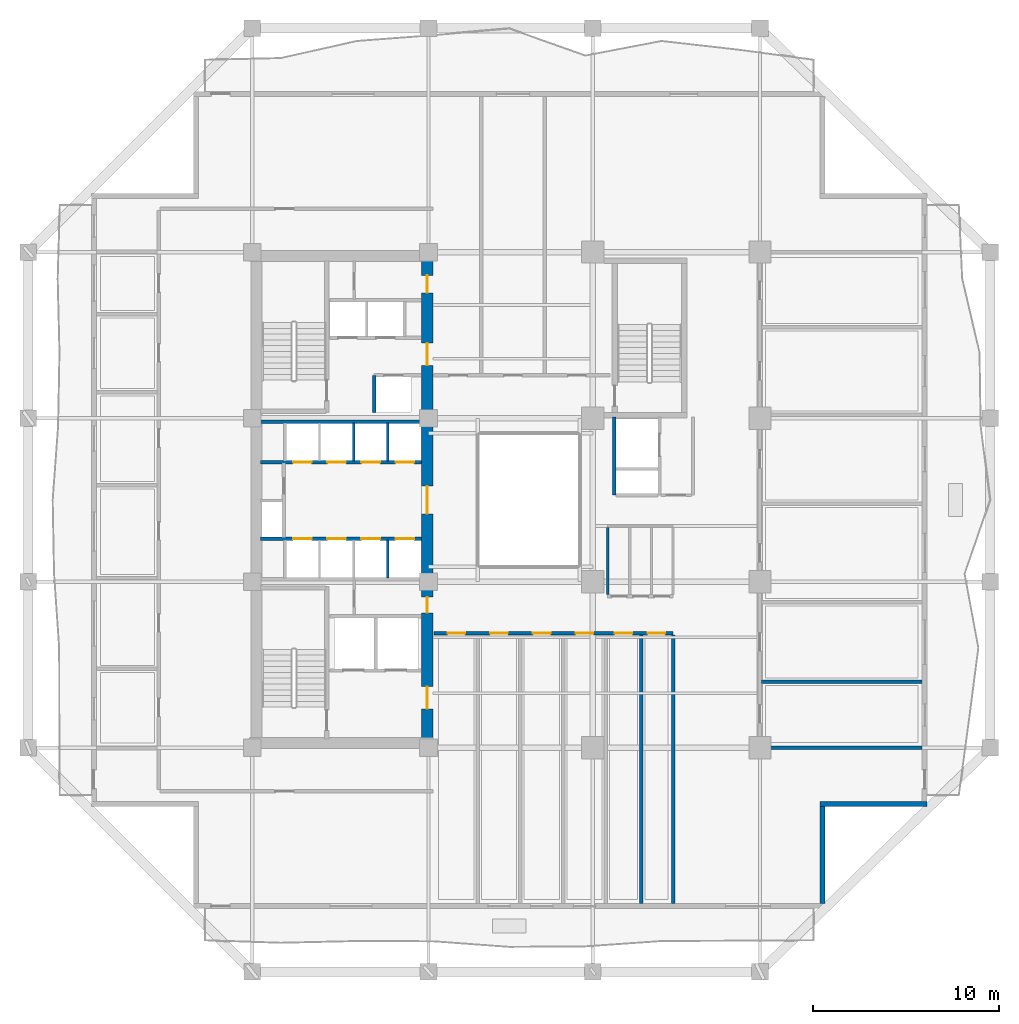
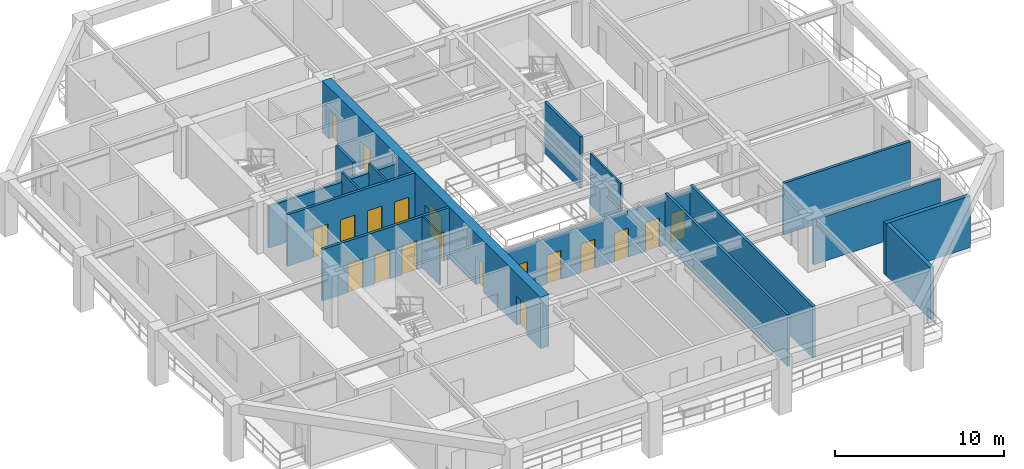
# One storey, part 4 of 14: 19 doors, 17 walls, 19 openings.
"""IFC4 building model written with IfcOpenShell, lengths in metres."""

from ifc_helpers import new_model, si_unit, direction, frame, frame_2d, origin, place, context, subcontext, project, spatial, rectangle, extrude, material, layer, layer_set, type_object, element, fill, save


model = new_model("IFC4")

# Units and contexts
model_context = context("Model", 3, precision=1e-05, world=origin(), true_north=direction((0.0, 1.0)))
body_context = subcontext(model_context, "Body", "Model", "MODEL_VIEW")
ifc_project = project(units=[si_unit("LENGTHUNIT", "METRE"), si_unit("AREAUNIT", "SQUARE_METRE"), si_unit("VOLUMEUNIT", "CUBIC_METRE"), si_unit("PLANEANGLEUNIT", "RADIAN"), si_unit("MASSUNIT", "GRAM", prefix="KILO")], contexts=[model_context])

# Site, building, storey
site_placement = place(None, origin())
site = spatial("IfcSite", under=ifc_project, at=site_placement, CompositionType="ELEMENT")
building_placement = place(site_placement, origin())
building = spatial("IfcBuilding", under=site, at=building_placement, Name="Kundavana Baori Tower", CompositionType="ELEMENT")
storey_placement = place(building_placement, frame((0.0, 0.0, 74.0)))
storey = spatial("IfcBuildingStorey", under=building, at=storey_placement, Name="L17", CompositionType="ELEMENT", Elevation=74.0)

# Wall, openings, doors
ifc_material_1 = material(Name="Concrete C60/75", Category="concrete")
ifc_layer_1 = layer(ifc_material_1, 0.60009765625, Name="WL-CORE-600")
ifc_layer_set_1 = layer_set([ifc_layer_1], Name="Concrete C60/75")
wall_type_1 = type_object("IfcWallType", Name="WL-CORE-600", PredefinedType="SHEAR", material=ifc_layer_set_1)
wall_1_placement = place(storey_placement, frame((24.8798828125, 15.739990234375, 0.0), z_axis=(0.0, 0.0, 1.0), x_axis=(0.0, 1.0, 0.0)))
wall_1 = element("IfcWall", 1, at=wall_1_placement, inside=storey, type_object=wall_type_1, Name="L17 Offset Core East Shear Wall", PredefinedType="SHEAR", context=body_context, shape_type="SweptSolid", body=[
    extrude(rectangle(XDim=25.760009765625, YDim=0.60009765625, at=frame_2d((12.8798828125, 0.0))), origin(), (0.0, 0.0, 1.0), 3.719970703125),
])
opening_1_placement = place(wall_1_placement, frame((1.610107421875, 0.0, 0.0)))
opening_1 = element("IfcOpeningElement", 2, at=opening_1_placement, cuts=wall_1, Name="Opening FD-120", PredefinedType="OPENING", context=body_context, shape_type="SweptSolid", body=[
    extrude(rectangle(XDim=1.199951171875, YDim=2.10009765625, at=frame_2d((0.60009765625, 1.050048828125))), frame((0.0, 0.31005859375, 0.0), z_axis=(0.0, -1.0, 0.0), x_axis=(1.0, 0.0, 0.0)), (0.0, 0.0, 1.0), 0.6201171875),
])
opening_2_placement = place(wall_1_placement, frame((6.780029296875, 0.0, 0.0)))
opening_2 = element("IfcOpeningElement", 3, at=opening_2_placement, cuts=wall_1, Name="Opening FD-085", PredefinedType="OPENING", context=body_context, shape_type="SweptSolid", body=[
    extrude(rectangle(XDim=0.85009765625, YDim=2.06005859375, at=frame_2d((0.425048828125, 1.030029296875))), frame((0.0, 0.31005859375, 0.0), z_axis=(0.0, -1.0, 0.0), x_axis=(1.0, 0.0, 0.0)), (0.0, 0.0, 1.0), 0.6201171875),
])
opening_3_placement = place(wall_1_placement, frame((12.110107421875, 0.0, 0.0)))
opening_3 = element("IfcOpeningElement", 4, at=opening_3_placement, cuts=wall_1, Name="Opening FD-150", PredefinedType="OPENING", context=body_context, shape_type="SweptSolid", body=[
    extrude(rectangle(XDim=1.5, YDim=2.1201171875, at=frame_2d((0.75, 1.06005859375))), frame((0.0, 0.31005859375, 0.0), z_axis=(0.0, -1.0, 0.0), x_axis=(1.0, 0.0, 0.0)), (0.0, 0.0, 1.0), 0.6201171875),
])
opening_4_placement = place(wall_1_placement, frame((20.110107421875, 0.0, 0.0)))
opening_4 = element("IfcOpeningElement", 5, at=opening_4_placement, cuts=wall_1, Name="Opening FD-122", PredefinedType="OPENING", context=body_context, shape_type="SweptSolid", body=[
    extrude(rectangle(XDim=1.199951171875, YDim=2.1201171875, at=frame_2d((0.60009765625, 1.06005859375))), frame((0.0, 0.31005859375, 0.0), z_axis=(0.0, -1.0, 0.0), x_axis=(1.0, 0.0, 0.0)), (0.0, 0.0, 1.0), 0.6201171875),
])
opening_5_placement = place(wall_1_placement, frame((24.010009765625, 0.0, 0.0)))
opening_5 = element("IfcOpeningElement", 6, at=opening_5_placement, cuts=wall_1, Name="Opening FD-095", PredefinedType="OPENING", context=body_context, shape_type="SweptSolid", body=[
    extrude(rectangle(XDim=0.949951171875, YDim=2.10009765625, at=frame_2d((0.47509765625, 1.050048828125))), frame((0.0, 0.31005859375, 0.0), z_axis=(0.0, -1.0, 0.0), x_axis=(1.0, 0.0, 0.0)), (0.0, 0.0, 1.0), 0.6201171875),
])
ifc_material_2 = material(Name="Galvanised Steel Fire-Rated Door Leaf", Category="steel")
door_type_1 = type_object("IfcDoorType", Name="DR-FD120-1200", OperationType="NOTDEFINED", PredefinedType="DOOR", material=ifc_material_2)
door_1_placement = place(opening_1_placement, frame((1.199951171875, 0.0, 0.0), z_axis=(0.0, 0.0, 1.0), x_axis=(-1.0, 0.0, 0.0)))
door_1 = element("IfcDoor", 7, at=door_1_placement, inside=storey, type_object=door_type_1, Name="DR-L17-FFLOB-E", OperationType="SINGLE_SWING_RIGHT", OverallHeight=2.10009765625, OverallWidth=1.199951171875, PredefinedType="DOOR", context=body_context, shape_type="SweptSolid", body=[
    extrude(rectangle(XDim=1.199951171875, YDim=2.10009765625, at=frame_2d((0.60009765625, 1.050048828125))), frame((0.0, 0.02490234375, 0.0), z_axis=(0.0, -1.0, 0.0), x_axis=(1.0, 0.0, 0.0)), (0.0, 0.0, 1.0), 0.050048828125),
])
fill(opening_1, door_1)
ifc_material_3 = material(Name="Galvanised Steel Fire-Rated Door Leaf", Category="steel")
door_type_2 = type_object("IfcDoorType", Name="DR-FD60-1200", OperationType="NOTDEFINED", PredefinedType="DOOR", material=ifc_material_3)
door_2_placement = place(opening_4_placement, frame((1.199951171875, 0.0, 0.0), z_axis=(0.0, 0.0, 1.0), x_axis=(-1.0, 0.0, 0.0)))
door_2 = element("IfcDoor", 8, at=door_2_placement, inside=storey, type_object=door_type_2, Name="DR-L17-HRLOB-E", OperationType="SINGLE_SWING_RIGHT", OverallHeight=2.1201171875, OverallWidth=1.199951171875, PredefinedType="DOOR", context=body_context, shape_type="SweptSolid", body=[
    extrude(rectangle(XDim=1.199951171875, YDim=2.1201171875, at=frame_2d((0.60009765625, 1.06005859375))), frame((0.0, 0.02490234375, 0.0), z_axis=(0.0, -1.0, 0.0), x_axis=(1.0, 0.0, 0.0)), (0.0, 0.0, 1.0), 0.050048828125),
])
fill(opening_4, door_2)
ifc_material_4 = material(Name="Galvanised Steel Fire-Rated Door Leaf", Category="steel")
door_type_3 = type_object("IfcDoorType", Name="DR-FD60-1500", OperationType="NOTDEFINED", PredefinedType="DOOR", material=ifc_material_4)
door_3_placement = place(opening_3_placement, frame((1.5, 0.0, 0.0), z_axis=(0.0, 0.0, 1.0), x_axis=(-1.0, 0.0, 0.0)))
door_3 = element("IfcDoor", 9, at=door_3_placement, inside=storey, type_object=door_type_3, Name="DR-L17-LIFTHALL-E", OperationType="SINGLE_SWING_LEFT", OverallHeight=2.1201171875, OverallWidth=1.5, PredefinedType="DOOR", context=body_context, shape_type="SweptSolid", body=[
    extrude(rectangle(XDim=1.5, YDim=2.1201171875, at=frame_2d((0.75, 1.06005859375))), frame((0.0, 0.02490234375, 0.0), z_axis=(0.0, -1.0, 0.0), x_axis=(1.0, 0.0, 0.0)), (0.0, 0.0, 1.0), 0.050048828125),
])
fill(opening_3, door_3)
ifc_material_5 = material(Name="Galvanised Steel Fire-Rated Door Leaf", Category="steel")
door_type_4 = type_object("IfcDoorType", Name="DR-FD60-850", OperationType="NOTDEFINED", PredefinedType="DOOR", material=ifc_material_5)
door_4_placement = place(opening_2_placement, frame((0.85009765625, 0.0, 0.0), z_axis=(0.0, 0.0, 1.0), x_axis=(-1.0, 0.0, 0.0)))
door_4 = element("IfcDoor", 10, at=door_4_placement, inside=storey, type_object=door_type_4, Name="DR-L17-CSMK2", OperationType="SINGLE_SWING_LEFT", OverallHeight=2.06005859375, OverallWidth=0.85009765625, PredefinedType="DOOR", context=body_context, shape_type="SweptSolid", body=[
    extrude(rectangle(XDim=0.85009765625, YDim=2.06005859375, at=frame_2d((0.425048828125, 1.030029296875))), frame((0.0, 0.02490234375, 0.0), z_axis=(0.0, -1.0, 0.0), x_axis=(1.0, 0.0, 0.0)), (0.0, 0.0, 1.0), 0.050048828125),
])
fill(opening_2, door_4)
ifc_material_6 = material(Name="Engineered Teak Fire-Rated Timber Door Leaf", Category="wood")
door_type_5 = type_object("IfcDoorType", Name="DR-FD60-950", OperationType="NOTDEFINED", PredefinedType="DOOR", material=ifc_material_6)
door_5_placement = place(opening_5_placement, frame((0.949951171875, 0.0, 0.0), z_axis=(0.0, 0.0, 1.0), x_axis=(-1.0, 0.0, 0.0)))
door_5 = element("IfcDoor", 11, at=door_5_placement, inside=storey, type_object=door_type_5, Name="DR-L17-CSRV2", OperationType="SINGLE_SWING_LEFT", OverallHeight=2.10009765625, OverallWidth=0.949951171875, PredefinedType="DOOR", context=body_context, shape_type="SweptSolid", body=[
    extrude(rectangle(XDim=0.949951171875, YDim=2.10009765625, at=frame_2d((0.47509765625, 1.050048828125))), frame((0.0, 0.02490234375, 0.0), z_axis=(0.0, -1.0, 0.0), x_axis=(1.0, 0.0, 0.0)), (0.0, 0.0, 1.0), 0.050048828125),
])
fill(opening_5, door_5)

# Walls
ifc_material_7 = material(Name="Kiln-Fired Terracotta Brick-Slip Masonry on Concrete C40/50", Category="masonry")
ifc_layer_2 = layer(ifc_material_7, 0.260009765625, Name="WL-EXT-BRK-260")
ifc_layer_set_2 = layer_set([ifc_layer_2], Name="Kiln-Fired Terracotta Brick-Slip Masonry on Concrete C40/50")
wall_type_2 = type_object("IfcWallType", Name="WL-EXT-BRK-260", PredefinedType="SOLIDWALL", material=ifc_layer_set_2)
wall_2_placement = place(storey_placement, frame((46.169921875, 6.860107421875, 0.0), z_axis=(0.0, 0.0, 1.0), x_axis=(0.0, 1.0, 0.0)))
element("IfcWall", 12, at=wall_2_placement, inside=storey, type_object=wall_type_2, Name="L17 Exterior Insulated Facade Wall 02", PredefinedType="SOLIDWALL", context=body_context, shape_type="SweptSolid", body=[
    extrude(rectangle(XDim=5.239990234375, YDim=0.260009765625, at=frame_2d((2.6201171875, 0.0))), origin(), (0.0, 0.0, 1.0), 3.719970703125),
])
wall_3_placement = place(storey_placement, frame((46.0400390625, 12.22998046875, 0.0), z_axis=(0.0, 0.0, 1.0), x_axis=(1.0, 0.0, 0.0)))
element("IfcWall", 13, at=wall_3_placement, inside=storey, type_object=wall_type_2, Name="L17 Exterior Insulated Facade Wall 03", PredefinedType="SOLIDWALL", context=body_context, shape_type="SweptSolid", body=[
    extrude(rectangle(XDim=5.760009765625, YDim=0.260009765625, at=frame_2d((2.8798828125, 0.0))), origin(), (0.0, 0.0, 1.0), 3.719970703125),
])
ifc_material_8 = material(Name="Acoustic Gypsum Plasterboard on Galvanised Steel Studs", Category="steel")
ifc_layer_3 = layer(ifc_material_8, 0.1201171875, Name="WL-PART-120")
ifc_layer_set_3 = layer_set([ifc_layer_3], Name="Acoustic Gypsum Plasterboard on Galvanised Steel Studs")
wall_type_3 = type_object("IfcWallType", Name="WL-PART-120", PredefinedType="PARTITIONING", material=ifc_layer_set_3)
for number, where, z_axis, x_axis, name in (
    (14, (22.760009765625, 24.39990234375, 0.0), (0.0, 0.0, 1.0), (0.0, 1.0, 0.0), "WL-L17-LPLOW-D3"),
    (15, (20.919921875, 30.699951171875, 0.0), (0.0, 0.0, 1.0), (0.0, 1.0, 0.0), "WL-L17-LPMID-D2"),
    (16, (22.760009765625, 30.699951171875, 0.0), (0.0, 0.0, 1.0), (0.0, 1.0, 0.0), "WL-L17-LPMID-D3"),
):
    element("IfcWall", number, at=place(storey_placement, frame(where, z_axis=z_axis, x_axis=x_axis)), inside=storey, type_object=wall_type_3, Name=name, PredefinedType="PARTITIONING", context=body_context, shape_type="SweptSolid", body=[
        extrude(rectangle(XDim=2.050048828125, YDim=0.1201171875, at=frame_2d((1.02490234375, 0.0))), origin(), (0.0, 0.0, 1.0), 3.719970703125),
    ])

# Wall, openings, doors
ifc_material_9 = material(Name="Autoclaved Aerated Concrete Blockwork Masonry", Category="masonry")
ifc_layer_4 = layer(ifc_material_9, 0.18505859375, Name="WL-PART-180")
ifc_layer_set_4 = layer_set([ifc_layer_4], Name="Autoclaved Aerated Concrete Blockwork Masonry")
wall_type_4 = type_object("IfcWallType", Name="WL-PART-180", PredefinedType="SOLIDWALL", material=ifc_layer_set_4)
wall_4_placement = place(storey_placement, frame((25.25, 21.419921875, 0.0), z_axis=(0.0, 0.0, 1.0), x_axis=(1.0, 0.0, 0.0)))
wall_4 = element("IfcWall", 17, at=wall_4_placement, inside=storey, type_object=wall_type_4, Name="WL-L17-OFS", PredefinedType="SOLIDWALL", context=body_context, shape_type="SweptSolid", body=[
    extrude(rectangle(XDim=12.8701171875, YDim=0.18505859375, at=frame_2d((6.43505859375, 0.0))), origin(), (0.0, 0.0, 1.0), 3.320068359375),
])
opening_6_placement = place(wall_4_placement, frame((0.72509765625, 0.0, 0.0)))
opening_6 = element("IfcOpeningElement", 18, at=opening_6_placement, cuts=wall_4, Name="Opening ID-095", PredefinedType="OPENING", context=body_context, shape_type="SweptSolid", body=[
    extrude(rectangle(XDim=0.949951171875, YDim=2.080078125, at=frame_2d((0.47509765625, 1.0400390625))), frame((0.0, 0.1025390625, 0.0), z_axis=(0.0, -1.0, 0.0), x_axis=(1.0, 0.0, 0.0)), (0.0, 0.0, 1.0), 0.205078125),
])
opening_7_placement = place(wall_4_placement, frame((3.02490234375, 0.0, 0.0)))
opening_7 = element("IfcOpeningElement", 19, at=opening_7_placement, cuts=wall_4, Name="Opening ID-095", PredefinedType="OPENING", context=body_context, shape_type="SweptSolid", body=[
    extrude(rectangle(XDim=0.949951171875, YDim=2.080078125, at=frame_2d((0.47509765625, 1.0400390625))), frame((0.0, 0.1025390625, 0.0), z_axis=(0.0, -1.0, 0.0), x_axis=(1.0, 0.0, 0.0)), (0.0, 0.0, 1.0), 0.205078125),
])
opening_8_placement = place(wall_4_placement, frame((5.324951171875, 0.0, 0.0)))
opening_8 = element("IfcOpeningElement", 20, at=opening_8_placement, cuts=wall_4, Name="Opening ID-095", PredefinedType="OPENING", context=body_context, shape_type="SweptSolid", body=[
    extrude(rectangle(XDim=0.949951171875, YDim=2.080078125, at=frame_2d((0.47509765625, 1.0400390625))), frame((0.0, 0.1025390625, 0.0), z_axis=(0.0, -1.0, 0.0), x_axis=(1.0, 0.0, 0.0)), (0.0, 0.0, 1.0), 0.205078125),
])
opening_9_placement = place(wall_4_placement, frame((7.625, 0.0, 0.0)))
opening_9 = element("IfcOpeningElement", 21, at=opening_9_placement, cuts=wall_4, Name="Opening ID-095", PredefinedType="OPENING", context=body_context, shape_type="SweptSolid", body=[
    extrude(rectangle(XDim=0.949951171875, YDim=2.080078125, at=frame_2d((0.47509765625, 1.0400390625))), frame((0.0, 0.1025390625, 0.0), z_axis=(0.0, -1.0, 0.0), x_axis=(1.0, 0.0, 0.0)), (0.0, 0.0, 1.0), 0.205078125),
])
opening_10_placement = place(wall_4_placement, frame((9.72509765625, 0.0, 0.0)))
opening_10 = element("IfcOpeningElement", 22, at=opening_10_placement, cuts=wall_4, Name="Opening ID-095", PredefinedType="OPENING", context=body_context, shape_type="SweptSolid", body=[
    extrude(rectangle(XDim=0.949951171875, YDim=2.080078125, at=frame_2d((0.47509765625, 1.0400390625))), frame((0.0, 0.1025390625, 0.0), z_axis=(0.0, -1.0, 0.0), x_axis=(1.0, 0.0, 0.0)), (0.0, 0.0, 1.0), 0.205078125),
])
opening_11_placement = place(wall_4_placement, frame((11.4951171875, 0.0, 0.0)))
opening_11 = element("IfcOpeningElement", 23, at=opening_11_placement, cuts=wall_4, Name="Opening ID-095", PredefinedType="OPENING", context=body_context, shape_type="SweptSolid", body=[
    extrude(rectangle(XDim=0.949951171875, YDim=2.080078125, at=frame_2d((0.47509765625, 1.0400390625))), frame((0.0, 0.1025390625, 0.0), z_axis=(0.0, -1.0, 0.0), x_axis=(1.0, 0.0, 0.0)), (0.0, 0.0, 1.0), 0.205078125),
])
ifc_material_10 = material(Name="Engineered Teak Solid-Core Timber Veneer", Category="wood")
door_type_6 = type_object("IfcDoorType", Name="DR-INT-950", OperationType="NOTDEFINED", PredefinedType="DOOR", material=ifc_material_10)
door_6_placement = place(opening_6_placement, frame((0.949951171875, 0.0, 0.0), z_axis=(0.0, 0.0, 1.0), x_axis=(-1.0, 0.0, 0.0)))
door_6 = element("IfcDoor", 24, at=door_6_placement, inside=storey, type_object=door_type_6, Name="DR-L17-OFS1", OperationType="SINGLE_SWING_LEFT", OverallHeight=2.080078125, OverallWidth=0.949951171875, PredefinedType="DOOR", context=body_context, shape_type="SweptSolid", body=[
    extrude(rectangle(XDim=0.949951171875, YDim=2.080078125, at=frame_2d((0.47509765625, 1.0400390625))), frame((0.0, 0.02490234375, 0.0), z_axis=(0.0, -1.0, 0.0), x_axis=(1.0, 0.0, 0.0)), (0.0, 0.0, 1.0), 0.050048828125),
])
fill(opening_6, door_6)
door_7_placement = place(opening_7_placement, frame((0.949951171875, 0.0, 0.0), z_axis=(0.0, 0.0, 1.0), x_axis=(-1.0, 0.0, 0.0)))
door_7 = element("IfcDoor", 25, at=door_7_placement, inside=storey, type_object=door_type_6, Name="DR-L17-OFS2", OperationType="SINGLE_SWING_RIGHT", OverallHeight=2.080078125, OverallWidth=0.949951171875, PredefinedType="DOOR", context=body_context, shape_type="SweptSolid", body=[
    extrude(rectangle(XDim=0.949951171875, YDim=2.080078125, at=frame_2d((0.47509765625, 1.0400390625))), frame((0.0, 0.02490234375, 0.0), z_axis=(0.0, -1.0, 0.0), x_axis=(1.0, 0.0, 0.0)), (0.0, 0.0, 1.0), 0.050048828125),
])
fill(opening_7, door_7)
door_8_placement = place(opening_8_placement, frame((0.949951171875, 0.0, 0.0), z_axis=(0.0, 0.0, 1.0), x_axis=(-1.0, 0.0, 0.0)))
door_8 = element("IfcDoor", 26, at=door_8_placement, inside=storey, type_object=door_type_6, Name="DR-L17-OFS3", OperationType="SINGLE_SWING_LEFT", OverallHeight=2.080078125, OverallWidth=0.949951171875, PredefinedType="DOOR", context=body_context, shape_type="SweptSolid", body=[
    extrude(rectangle(XDim=0.949951171875, YDim=2.080078125, at=frame_2d((0.47509765625, 1.0400390625))), frame((0.0, 0.02490234375, 0.0), z_axis=(0.0, -1.0, 0.0), x_axis=(1.0, 0.0, 0.0)), (0.0, 0.0, 1.0), 0.050048828125),
])
fill(opening_8, door_8)
door_9_placement = place(opening_9_placement, frame((0.949951171875, 0.0, 0.0), z_axis=(0.0, 0.0, 1.0), x_axis=(-1.0, 0.0, 0.0)))
door_9 = element("IfcDoor", 27, at=door_9_placement, inside=storey, type_object=door_type_6, Name="DR-L17-OFS4", OperationType="SINGLE_SWING_RIGHT", OverallHeight=2.080078125, OverallWidth=0.949951171875, PredefinedType="DOOR", context=body_context, shape_type="SweptSolid", body=[
    extrude(rectangle(XDim=0.949951171875, YDim=2.080078125, at=frame_2d((0.47509765625, 1.0400390625))), frame((0.0, 0.02490234375, 0.0), z_axis=(0.0, -1.0, 0.0), x_axis=(1.0, 0.0, 0.0)), (0.0, 0.0, 1.0), 0.050048828125),
])
fill(opening_9, door_9)
door_10_placement = place(opening_10_placement, frame((0.949951171875, 0.0, 0.0), z_axis=(0.0, 0.0, 1.0), x_axis=(-1.0, 0.0, 0.0)))
door_10 = element("IfcDoor", 28, at=door_10_placement, inside=storey, type_object=door_type_6, Name="DR-L17-OFS5", OperationType="SINGLE_SWING_LEFT", OverallHeight=2.080078125, OverallWidth=0.949951171875, PredefinedType="DOOR", context=body_context, shape_type="SweptSolid", body=[
    extrude(rectangle(XDim=0.949951171875, YDim=2.080078125, at=frame_2d((0.47509765625, 1.0400390625))), frame((0.0, 0.02490234375, 0.0), z_axis=(0.0, -1.0, 0.0), x_axis=(1.0, 0.0, 0.0)), (0.0, 0.0, 1.0), 0.050048828125),
])
fill(opening_10, door_10)
door_11_placement = place(opening_11_placement, frame((0.949951171875, 0.0, 0.0), z_axis=(0.0, 0.0, 1.0), x_axis=(-1.0, 0.0, 0.0)))
door_11 = element("IfcDoor", 29, at=door_11_placement, inside=storey, type_object=door_type_6, Name="DR-L17-OFS6", OperationType="SINGLE_SWING_RIGHT", OverallHeight=2.080078125, OverallWidth=0.949951171875, PredefinedType="DOOR", context=body_context, shape_type="SweptSolid", body=[
    extrude(rectangle(XDim=0.949951171875, YDim=2.080078125, at=frame_2d((0.47509765625, 1.0400390625))), frame((0.0, 0.02490234375, 0.0), z_axis=(0.0, -1.0, 0.0), x_axis=(1.0, 0.0, 0.0)), (0.0, 0.0, 1.0), 0.050048828125),
])
fill(opening_11, door_11)

# Walls
wall_5_placement = place(storey_placement, frame((38.1201171875, 6.8798828125, 0.0), z_axis=(0.0, 0.0, 1.0), x_axis=(0.0, 1.0, 0.0)))
element("IfcWall", 30, at=wall_5_placement, inside=storey, type_object=wall_type_4, Name="WL-L17-OFSEND", PredefinedType="SOLIDWALL", context=body_context, shape_type="SweptSolid", body=[
    extrude(rectangle(XDim=14.460205078125, YDim=0.18505859375, at=frame_2d((7.22998046875, 0.0))), origin(), (0.0, 0.0, 1.0), 3.719970703125),
])
wall_6_placement = place(storey_placement, frame((42.8798828125, 15.25, 0.0), z_axis=(0.0, 0.0, 1.0), x_axis=(1.0, 0.0, 0.0)))
element("IfcWall", 31, at=wall_6_placement, inside=storey, type_object=wall_type_4, Name="WL-L17-OFES", PredefinedType="SOLIDWALL", context=body_context, shape_type="SweptSolid", body=[
    extrude(rectangle(XDim=8.64013671875, YDim=0.18505859375, at=frame_2d((4.320068359375, 0.0))), origin(), (0.0, 0.0, 1.0), 3.219970703125),
])
wall_7_placement = place(storey_placement, frame((36.39990234375, 6.8798828125, 0.0), z_axis=(0.0, 0.0, 1.0), x_axis=(0.0, 1.0, 0.0)))
element("IfcWall", 32, at=wall_7_placement, inside=storey, type_object=wall_type_4, Name="WL-L17-SD5", PredefinedType="SOLIDWALL", context=body_context, shape_type="SweptSolid", body=[
    extrude(rectangle(XDim=14.460205078125, YDim=0.18505859375, at=frame_2d((7.22998046875, 0.0))), origin(), (0.0, 0.0, 1.0), 3.719970703125),
])
wall_8_placement = place(storey_placement, frame((42.8798828125, 18.800048828125, 0.0), z_axis=(0.0, 0.0, 1.0), x_axis=(1.0, 0.0, 0.0)))
element("IfcWall", 33, at=wall_8_placement, inside=storey, type_object=wall_type_4, Name="WL-L17-ED1", PredefinedType="SOLIDWALL", context=body_context, shape_type="SweptSolid", body=[
    extrude(rectangle(XDim=8.64013671875, YDim=0.18505859375, at=frame_2d((4.320068359375, 0.0))), origin(), (0.0, 0.0, 1.0), 3.719970703125),
])

# Wall, openings, doors
ifc_material_11 = material(Name="Autoclaved Aerated Concrete Blockwork Masonry", Category="masonry")
ifc_layer_5 = layer(ifc_material_11, 0.179931640625, Name="WL-SHAFT-180")
ifc_layer_set_5 = layer_set([ifc_layer_5], Name="Autoclaved Aerated Concrete Blockwork Masonry")
wall_type_5 = type_object("IfcWallType", Name="WL-SHAFT-180", PredefinedType="SOLIDWALL", material=ifc_layer_set_5)
wall_9_placement = place(storey_placement, frame((15.89990234375, 26.52001953125, 0.0), z_axis=(0.0, 0.0, 1.0), x_axis=(1.0, 0.0, 0.0)))
wall_9 = element("IfcWall", 34, at=wall_9_placement, inside=storey, type_object=wall_type_5, Name="WL-L17-LPLOW-N", PredefinedType="SOLIDWALL", context=body_context, shape_type="SweptSolid", body=[
    extrude(rectangle(XDim=8.68017578125, YDim=0.179931640625, at=frame_2d((4.340087890625, 0.0))), origin(), (0.0, 0.0, 1.0), 3.719970703125),
])
opening_12_placement = place(wall_9_placement, frame((1.760009765625, 0.0, 0.0)))
opening_12 = element("IfcOpeningElement", 35, at=opening_12_placement, cuts=wall_9, Name="Opening LD-100", PredefinedType="OPENING", context=body_context, shape_type="SweptSolid", body=[
    extrude(rectangle(XDim=1.0, YDim=2.10009765625, at=frame_2d((0.5, 1.050048828125))), frame((0.0, 0.10009765625, 0.0), z_axis=(0.0, -1.0, 0.0), x_axis=(1.0, 0.0, 0.0)), (0.0, 0.0, 1.0), 0.199951171875),
])
opening_13_placement = place(wall_9_placement, frame((3.60009765625, 0.0, 0.0)))
opening_13 = element("IfcOpeningElement", 36, at=opening_13_placement, cuts=wall_9, Name="Opening LD-100", PredefinedType="OPENING", context=body_context, shape_type="SweptSolid", body=[
    extrude(rectangle(XDim=1.0, YDim=2.10009765625, at=frame_2d((0.5, 1.050048828125))), frame((0.0, 0.10009765625, 0.0), z_axis=(0.0, -1.0, 0.0), x_axis=(1.0, 0.0, 0.0)), (0.0, 0.0, 1.0), 0.199951171875),
])
opening_14_placement = place(wall_9_placement, frame((5.43994140625, 0.0, 0.0)))
opening_14 = element("IfcOpeningElement", 37, at=opening_14_placement, cuts=wall_9, Name="Opening LD-100", PredefinedType="OPENING", context=body_context, shape_type="SweptSolid", body=[
    extrude(rectangle(XDim=1.0, YDim=2.10009765625, at=frame_2d((0.5, 1.050048828125))), frame((0.0, 0.10009765625, 0.0), z_axis=(0.0, -1.0, 0.0), x_axis=(1.0, 0.0, 0.0)), (0.0, 0.0, 1.0), 0.199951171875),
])
opening_15_placement = place(wall_9_placement, frame((7.280029296875, 0.0, 0.0)))
opening_15 = element("IfcOpeningElement", 38, at=opening_15_placement, cuts=wall_9, Name="Opening LD-100", PredefinedType="OPENING", context=body_context, shape_type="SweptSolid", body=[
    extrude(rectangle(XDim=1.0, YDim=2.10009765625, at=frame_2d((0.5, 1.050048828125))), frame((0.0, 0.10009765625, 0.0), z_axis=(0.0, -1.0, 0.0), x_axis=(1.0, 0.0, 0.0)), (0.0, 0.0, 1.0), 0.199951171875),
])
ifc_material_12 = material(Name="Galvanised Steel Fire-Rated Door Leaf", Category="steel")
door_type_7 = type_object("IfcDoorType", Name="DR-SLIDE-LD1000", OperationType="NOTDEFINED", PredefinedType="DOOR", material=ifc_material_12)
door_12_placement = place(opening_12_placement, origin())
door_12 = element("IfcDoor", 39, at=door_12_placement, inside=storey, type_object=door_type_7, Name="DR-L17-LD-LP-01", OperationType="DOUBLE_DOOR_SLIDING", OverallHeight=2.10009765625, OverallWidth=1.0, PredefinedType="DOOR", context=body_context, shape_type="SweptSolid", body=[
    extrude(rectangle(XDim=1.0, YDim=2.10009765625, at=frame_2d((0.5, 1.050048828125))), frame((0.0, 0.02490234375, 0.0), z_axis=(0.0, -1.0, 0.0), x_axis=(1.0, 0.0, 0.0)), (0.0, 0.0, 1.0), 0.050048828125),
])
fill(opening_12, door_12)
door_13_placement = place(opening_13_placement, origin())
door_13 = element("IfcDoor", 40, at=door_13_placement, inside=storey, type_object=door_type_7, Name="DR-L17-LD-LP-02", OperationType="DOUBLE_DOOR_SLIDING", OverallHeight=2.10009765625, OverallWidth=1.0, PredefinedType="DOOR", context=body_context, shape_type="SweptSolid", body=[
    extrude(rectangle(XDim=1.0, YDim=2.10009765625, at=frame_2d((0.5, 1.050048828125))), frame((0.0, 0.02490234375, 0.0), z_axis=(0.0, -1.0, 0.0), x_axis=(1.0, 0.0, 0.0)), (0.0, 0.0, 1.0), 0.050048828125),
])
fill(opening_13, door_13)
door_14_placement = place(opening_14_placement, origin())
door_14 = element("IfcDoor", 41, at=door_14_placement, inside=storey, type_object=door_type_7, Name="DR-L17-LD-LP-03", OperationType="DOUBLE_DOOR_SLIDING", OverallHeight=2.10009765625, OverallWidth=1.0, PredefinedType="DOOR", context=body_context, shape_type="SweptSolid", body=[
    extrude(rectangle(XDim=1.0, YDim=2.10009765625, at=frame_2d((0.5, 1.050048828125))), frame((0.0, 0.02490234375, 0.0), z_axis=(0.0, -1.0, 0.0), x_axis=(1.0, 0.0, 0.0)), (0.0, 0.0, 1.0), 0.050048828125),
])
fill(opening_14, door_14)
door_15_placement = place(opening_15_placement, origin())
door_15 = element("IfcDoor", 42, at=door_15_placement, inside=storey, type_object=door_type_7, Name="DR-L17-LD-LP-04", OperationType="DOUBLE_DOOR_SLIDING", OverallHeight=2.10009765625, OverallWidth=1.0, PredefinedType="DOOR", context=body_context, shape_type="SweptSolid", body=[
    extrude(rectangle(XDim=1.0, YDim=2.10009765625, at=frame_2d((0.5, 1.050048828125))), frame((0.0, 0.02490234375, 0.0), z_axis=(0.0, -1.0, 0.0), x_axis=(1.0, 0.0, 0.0)), (0.0, 0.0, 1.0), 0.050048828125),
])
fill(opening_15, door_15)

wall_10_placement = place(storey_placement, frame((15.89990234375, 30.639892578125, 0.0), z_axis=(0.0, 0.0, 1.0), x_axis=(1.0, 0.0, 0.0)))
wall_10 = element("IfcWall", 43, at=wall_10_placement, inside=storey, type_object=wall_type_5, Name="WL-L17-LPMID-S", PredefinedType="SOLIDWALL", context=body_context, shape_type="SweptSolid", body=[
    extrude(rectangle(XDim=8.68017578125, YDim=0.179931640625, at=frame_2d((4.340087890625, 0.0))), origin(), (0.0, 0.0, 1.0), 3.719970703125),
])
opening_16_placement = place(wall_10_placement, frame((1.760009765625, 0.0, 0.0)))
opening_16 = element("IfcOpeningElement", 44, at=opening_16_placement, cuts=wall_10, Name="Opening LD-100", PredefinedType="OPENING", context=body_context, shape_type="SweptSolid", body=[
    extrude(rectangle(XDim=1.0, YDim=2.10009765625, at=frame_2d((0.5, 1.050048828125))), frame((0.0, 0.10009765625, 0.0), z_axis=(0.0, -1.0, 0.0), x_axis=(1.0, 0.0, 0.0)), (0.0, 0.0, 1.0), 0.199951171875),
])
opening_17_placement = place(wall_10_placement, frame((3.60009765625, 0.0, 0.0)))
opening_17 = element("IfcOpeningElement", 45, at=opening_17_placement, cuts=wall_10, Name="Opening LD-100", PredefinedType="OPENING", context=body_context, shape_type="SweptSolid", body=[
    extrude(rectangle(XDim=1.0, YDim=2.10009765625, at=frame_2d((0.5, 1.050048828125))), frame((0.0, 0.10009765625, 0.0), z_axis=(0.0, -1.0, 0.0), x_axis=(1.0, 0.0, 0.0)), (0.0, 0.0, 1.0), 0.199951171875),
])
opening_18_placement = place(wall_10_placement, frame((5.43994140625, 0.0, 0.0)))
opening_18 = element("IfcOpeningElement", 46, at=opening_18_placement, cuts=wall_10, Name="Opening LD-100", PredefinedType="OPENING", context=body_context, shape_type="SweptSolid", body=[
    extrude(rectangle(XDim=1.0, YDim=2.10009765625, at=frame_2d((0.5, 1.050048828125))), frame((0.0, 0.10009765625, 0.0), z_axis=(0.0, -1.0, 0.0), x_axis=(1.0, 0.0, 0.0)), (0.0, 0.0, 1.0), 0.199951171875),
])
opening_19_placement = place(wall_10_placement, frame((7.280029296875, 0.0, 0.0)))
opening_19 = element("IfcOpeningElement", 47, at=opening_19_placement, cuts=wall_10, Name="Opening LD-100", PredefinedType="OPENING", context=body_context, shape_type="SweptSolid", body=[
    extrude(rectangle(XDim=1.0, YDim=2.10009765625, at=frame_2d((0.5, 1.050048828125))), frame((0.0, 0.10009765625, 0.0), z_axis=(0.0, -1.0, 0.0), x_axis=(1.0, 0.0, 0.0)), (0.0, 0.0, 1.0), 0.199951171875),
])
door_16_placement = place(opening_16_placement, frame((1.0, 0.0, 0.0), z_axis=(0.0, 0.0, 1.0), x_axis=(-1.0, 0.0, 0.0)))
door_16 = element("IfcDoor", 48, at=door_16_placement, inside=storey, type_object=door_type_7, Name="DR-L17-LD-LP-05", OperationType="DOUBLE_DOOR_SLIDING", OverallHeight=2.10009765625, OverallWidth=1.0, PredefinedType="DOOR", context=body_context, shape_type="SweptSolid", body=[
    extrude(rectangle(XDim=1.0, YDim=2.10009765625, at=frame_2d((0.5, 1.050048828125))), frame((0.0, 0.02490234375, 0.0), z_axis=(0.0, -1.0, 0.0), x_axis=(1.0, 0.0, 0.0)), (0.0, 0.0, 1.0), 0.050048828125),
])
fill(opening_16, door_16)
door_17_placement = place(opening_17_placement, frame((1.0, 0.0, 0.0), z_axis=(0.0, 0.0, 1.0), x_axis=(-1.0, 0.0, 0.0)))
door_17 = element("IfcDoor", 49, at=door_17_placement, inside=storey, type_object=door_type_7, Name="DR-L17-LD-LP-06", OperationType="DOUBLE_DOOR_SLIDING", OverallHeight=2.10009765625, OverallWidth=1.0, PredefinedType="DOOR", context=body_context, shape_type="SweptSolid", body=[
    extrude(rectangle(XDim=1.0, YDim=2.10009765625, at=frame_2d((0.5, 1.050048828125))), frame((0.0, 0.02490234375, 0.0), z_axis=(0.0, -1.0, 0.0), x_axis=(1.0, 0.0, 0.0)), (0.0, 0.0, 1.0), 0.050048828125),
])
fill(opening_17, door_17)
door_18_placement = place(opening_18_placement, frame((1.0, 0.0, 0.0), z_axis=(0.0, 0.0, 1.0), x_axis=(-1.0, 0.0, 0.0)))
door_18 = element("IfcDoor", 50, at=door_18_placement, inside=storey, type_object=door_type_7, Name="DR-L17-LD-LP-07", OperationType="DOUBLE_DOOR_SLIDING", OverallHeight=2.10009765625, OverallWidth=1.0, PredefinedType="DOOR", context=body_context, shape_type="SweptSolid", body=[
    extrude(rectangle(XDim=1.0, YDim=2.10009765625, at=frame_2d((0.5, 1.050048828125))), frame((0.0, 0.02490234375, 0.0), z_axis=(0.0, -1.0, 0.0), x_axis=(1.0, 0.0, 0.0)), (0.0, 0.0, 1.0), 0.050048828125),
])
fill(opening_18, door_18)
door_19_placement = place(opening_19_placement, frame((1.0, 0.0, 0.0), z_axis=(0.0, 0.0, 1.0), x_axis=(-1.0, 0.0, 0.0)))
door_19 = element("IfcDoor", 51, at=door_19_placement, inside=storey, type_object=door_type_7, Name="DR-L17-LD-LP-08", OperationType="DOUBLE_DOOR_SLIDING", OverallHeight=2.10009765625, OverallWidth=1.0, PredefinedType="DOOR", context=body_context, shape_type="SweptSolid", body=[
    extrude(rectangle(XDim=1.0, YDim=2.10009765625, at=frame_2d((0.5, 1.050048828125))), frame((0.0, 0.02490234375, 0.0), z_axis=(0.0, -1.0, 0.0), x_axis=(1.0, 0.0, 0.0)), (0.0, 0.0, 1.0), 0.050048828125),
])
fill(opening_19, door_19)

# Walls
wall_11_placement = place(storey_placement, frame((15.89990234375, 32.820068359375, 0.0), z_axis=(0.0, 0.0, 1.0), x_axis=(1.0, 0.0, 0.0)))
element("IfcWall", 52, at=wall_11_placement, inside=storey, type_object=wall_type_5, Name="WL-L17-LPMID-N", PredefinedType="SOLIDWALL", context=body_context, shape_type="SweptSolid", body=[
    extrude(rectangle(XDim=8.68017578125, YDim=0.179931640625, at=frame_2d((4.340087890625, 0.0))), origin(), (0.0, 0.0, 1.0), 3.02001953125),
])
wall_12_placement = place(storey_placement, frame((22.02001953125, 33.300048828125, 0.0), z_axis=(0.0, 0.0, 1.0), x_axis=(0.0, 1.0, 0.0)))
element("IfcWall", 53, at=wall_12_placement, inside=storey, type_object=wall_type_5, Name="WL-L17-LP11-W", PredefinedType="SOLIDWALL", context=body_context, shape_type="SweptSolid", body=[
    extrude(rectangle(XDim=2.010009765625, YDim=0.179931640625, at=frame_2d((1.0048828125, 0.0))), origin(), (0.0, 0.0, 1.0), 3.719970703125),
])
wall_13_placement = place(storey_placement, frame((34.9599609375, 28.860107421875, 0.0), z_axis=(0.0, 0.0, 1.0), x_axis=(0.0, 1.0, 0.0)))
element("IfcWall", 54, at=wall_13_placement, inside=storey, type_object=wall_type_5, Name="WL-L17-SVL-W", PredefinedType="SOLIDWALL", context=body_context, shape_type="SweptSolid", body=[
    extrude(rectangle(XDim=4.219970703125, YDim=0.179931640625, at=frame_2d((2.10986328125, 0.0))), origin(), (0.0, 0.0, 1.0), 3.719970703125),
])
ifc_material_13 = material(Name="Autoclaved Aerated Concrete Blockwork Masonry", Category="masonry")
ifc_layer_6 = layer(ifc_material_13, 0.125, Name="WL-WET-120")
ifc_layer_set_6 = layer_set([ifc_layer_6], Name="Autoclaved Aerated Concrete Blockwork Masonry")
wall_type_6 = type_object("IfcWallType", Name="WL-WET-120", PredefinedType="PLUMBINGWALL", material=ifc_layer_set_6)
wall_14_placement = place(storey_placement, frame((34.60009765625, 23.5, 0.0), z_axis=(0.0, 0.0, 1.0), x_axis=(0.0, 1.0, 0.0)))
element("IfcWall", 55, at=wall_14_placement, inside=storey, type_object=wall_type_6, Name="WL-L17-WCW", PredefinedType="PLUMBINGWALL", context=body_context, shape_type="SweptSolid", body=[
    extrude(rectangle(XDim=3.6201171875, YDim=0.125, at=frame_2d((1.81005859375, 0.0))), origin(), (0.0, 0.0, 1.0), 3.719970703125),
])

save(model, "model.ifc")
